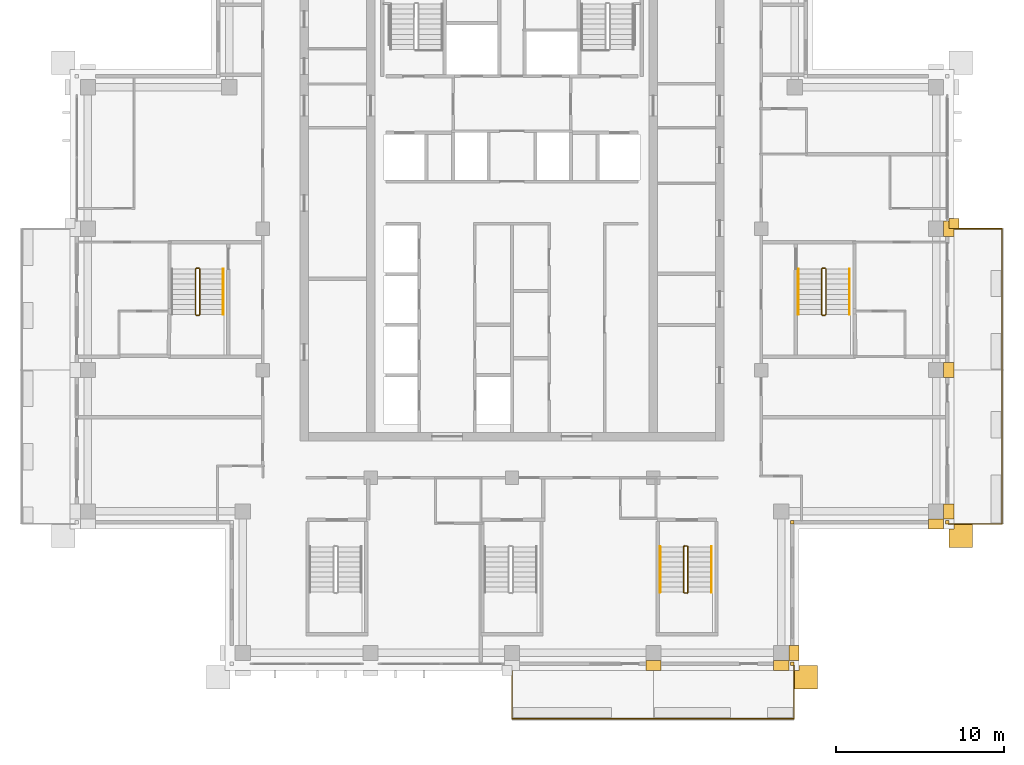
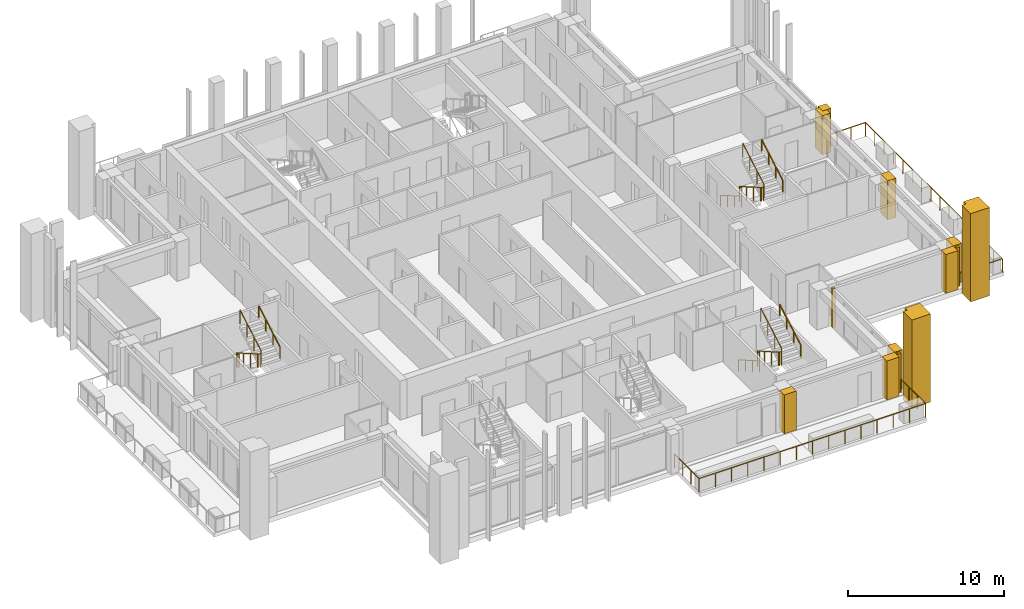
# One storey, part 16 of 18: 13 coverings, 12 railings.
"""IFC4 building model written with IfcOpenShell, lengths in metres."""

from ifc_helpers import new_model, si_unit, direction, frame, origin, origin_2d, place, context, subcontext, project, spatial, polyline, rectangle, outline, extrude, material, type_object, element, save


model = new_model("IFC4")

# Units and contexts
model_context = context("Model", 3, precision=1e-05, world=origin(), true_north=direction((0.0, 1.0)))
body_context = subcontext(model_context, "Body", "Model", "MODEL_VIEW")
ifc_project = project(units=[si_unit("LENGTHUNIT", "METRE"), si_unit("AREAUNIT", "SQUARE_METRE"), si_unit("VOLUMEUNIT", "CUBIC_METRE"), si_unit("PLANEANGLEUNIT", "RADIAN"), si_unit("MASSUNIT", "GRAM", prefix="KILO")], contexts=[model_context])

# Site, building, storey
site_placement = place(None, origin())
site = spatial("IfcSite", under=ifc_project, at=site_placement, CompositionType="ELEMENT")
building_placement = place(site_placement, origin())
building = spatial("IfcBuilding", under=site, at=building_placement, Name="Vermilion Ogive Tower", CompositionType="ELEMENT")
storey_placement = place(building_placement, frame((0.0, 0.0, 240.699951171875)))
storey = spatial("IfcBuildingStorey", under=building, at=storey_placement, Name="L63", CompositionType="ELEMENT", Elevation=240.699951171875)

# Railings
ifc_material_1 = material(Name="Stainless steel and glass", Category="steel")
railing_type_1 = type_object("IfcRailingType", Name="Balcony guard", PredefinedType="GUARDRAIL", material=ifc_material_1)
railing_1_placement = place(storey_placement, frame((0.0, -21.75, -0.0400390625)))
element("IfcRailing", 1, at=railing_1_placement, inside=storey, type_object=railing_type_1, Name="Guard S03", PredefinedType="GUARDRAIL", context=body_context, shape_type="SweptSolid", body=[
    extrude(rectangle(XDim=0.048095703125, YDim=0.048095703125, at=origin_2d()), frame((0.0, 0.0, 1.076171875), z_axis=(0.0, -1.0, 0.0), x_axis=(1.0, 0.0, 0.0)), (0.0, 0.0, 1.0), 3.159912109375),
    extrude(rectangle(XDim=0.048095703125, YDim=0.048095703125, at=origin_2d()), frame((0.0, -3.159912109375, 1.076171875), z_axis=(1.0, 0.0, 0.0), x_axis=(0.0, 1.0, 0.0)), (0.0, 0.0, 1.0), 8.39990234375),
    extrude(rectangle(XDim=0.0419921875, YDim=0.0419921875, at=origin_2d()), origin(), (0.0, 0.0, 1.0), 1.052001953125),
    extrude(rectangle(XDim=0.0419921875, YDim=0.0419921875, at=origin_2d()), frame((0.0, -1.05322265625, 0.0)), (0.0, 0.0, 1.0), 1.052001953125),
    extrude(rectangle(XDim=0.0419921875, YDim=0.0419921875, at=origin_2d()), frame((0.0, -2.106689453125, 0.0)), (0.0, 0.0, 1.0), 1.052001953125),
    extrude(rectangle(XDim=0.0419921875, YDim=0.0419921875, at=origin_2d()), frame((0.0, -3.159912109375, 0.0)), (0.0, 0.0, 1.0), 1.052001953125),
    extrude(rectangle(XDim=0.0419921875, YDim=0.0419921875, at=origin_2d()), frame((1.199951171875, -3.159912109375, 0.0)), (0.0, 0.0, 1.0), 1.052001953125),
    extrude(rectangle(XDim=0.0419921875, YDim=0.0419921875, at=origin_2d()), frame((2.39990234375, -3.159912109375, 0.0)), (0.0, 0.0, 1.0), 1.052001953125),
    extrude(rectangle(XDim=0.0419921875, YDim=0.0419921875, at=origin_2d()), frame((3.599853515625, -3.159912109375, 0.0)), (0.0, 0.0, 1.0), 1.052001953125),
    extrude(rectangle(XDim=0.0419921875, YDim=0.0419921875, at=origin_2d()), frame((4.800048828125, -3.159912109375, 0.0)), (0.0, 0.0, 1.0), 1.052001953125),
    extrude(rectangle(XDim=0.0419921875, YDim=0.0419921875, at=origin_2d()), frame((6.0, -3.159912109375, 0.0)), (0.0, 0.0, 1.0), 1.052001953125),
    extrude(rectangle(XDim=0.0419921875, YDim=0.0419921875, at=origin_2d()), frame((7.199951171875, -3.159912109375, 0.0)), (0.0, 0.0, 1.0), 1.052001953125),
    extrude(rectangle(XDim=0.0419921875, YDim=0.0419921875, at=origin_2d()), frame((8.39990234375, -3.159912109375, 0.0)), (0.0, 0.0, 1.0), 1.052001953125),
])
railing_2_placement = place(storey_placement, frame((8.39990234375, -24.909912109375, -0.0400390625)))
element("IfcRailing", 2, at=railing_2_placement, inside=storey, type_object=railing_type_1, Name="Guard S04", PredefinedType="GUARDRAIL", context=body_context, shape_type="SweptSolid", body=[
    extrude(rectangle(XDim=0.048095703125, YDim=0.048095703125, at=origin_2d()), frame((0.0, 0.0, 1.076171875), z_axis=(1.0, 0.0, 0.0), x_axis=(0.0, 1.0, 0.0)), (0.0, 0.0, 1.0), 8.35009765625),
    extrude(rectangle(XDim=0.048095703125, YDim=0.048095703125, at=origin_2d()), frame((8.35009765625, 0.0, 1.076171875), z_axis=(0.0, 1.0, 0.0), x_axis=(-1.0, 0.0, 0.0)), (0.0, 0.0, 1.0), 3.159912109375),
    extrude(rectangle(XDim=0.0419921875, YDim=0.0419921875, at=origin_2d()), origin(), (0.0, 0.0, 1.0), 1.052001953125),
    extrude(rectangle(XDim=0.0419921875, YDim=0.0419921875, at=origin_2d()), frame((1.19287109375, 0.0, 0.0)), (0.0, 0.0, 1.0), 1.052001953125),
    extrude(rectangle(XDim=0.0419921875, YDim=0.0419921875, at=origin_2d()), frame((2.3857421875, 0.0, 0.0)), (0.0, 0.0, 1.0), 1.052001953125),
    extrude(rectangle(XDim=0.0419921875, YDim=0.0419921875, at=origin_2d()), frame((3.57861328125, 0.0, 0.0)), (0.0, 0.0, 1.0), 1.052001953125),
    extrude(rectangle(XDim=0.0419921875, YDim=0.0419921875, at=origin_2d()), frame((4.771484375, 0.0, 0.0)), (0.0, 0.0, 1.0), 1.052001953125),
    extrude(rectangle(XDim=0.0419921875, YDim=0.0419921875, at=origin_2d()), frame((5.96435546875, 0.0, 0.0)), (0.0, 0.0, 1.0), 1.052001953125),
    extrude(rectangle(XDim=0.0419921875, YDim=0.0419921875, at=origin_2d()), frame((7.1572265625, 0.0, 0.0)), (0.0, 0.0, 1.0), 1.052001953125),
    extrude(rectangle(XDim=0.0419921875, YDim=0.0419921875, at=origin_2d()), frame((8.35009765625, 0.0, 0.0)), (0.0, 0.0, 1.0), 1.052001953125),
    extrude(rectangle(XDim=0.0419921875, YDim=0.0419921875, at=origin_2d()), frame((8.35009765625, 1.05322265625, 0.0)), (0.0, 0.0, 1.0), 1.052001953125),
    extrude(rectangle(XDim=0.0419921875, YDim=0.0419921875, at=origin_2d()), frame((8.35009765625, 2.106689453125, 0.0)), (0.0, 0.0, 1.0), 1.052001953125),
    extrude(rectangle(XDim=0.0419921875, YDim=0.0419921875, at=origin_2d()), frame((8.35009765625, 3.159912109375, 0.0)), (0.0, 0.0, 1.0), 1.052001953125),
])
railing_3_placement = place(storey_placement, frame((25.949951171875, -13.35009765625, -0.0400390625)))
element("IfcRailing", 3, at=railing_3_placement, inside=storey, type_object=railing_type_1, Name="Guard E01", PredefinedType="GUARDRAIL", context=body_context, shape_type="SweptSolid", body=[
    extrude(rectangle(XDim=0.048095703125, YDim=0.048095703125, at=origin_2d()), frame((0.0, 0.0, 1.076171875), z_axis=(1.0, 0.0, 0.0), x_axis=(0.0, 1.0, 0.0)), (0.0, 0.0, 1.0), 3.16015625),
    extrude(rectangle(XDim=0.048095703125, YDim=0.048095703125, at=origin_2d()), frame((3.16015625, 0.0, 1.076171875), z_axis=(0.0, 1.0, 0.0), x_axis=(-1.0, 0.0, 0.0)), (0.0, 0.0, 1.0), 9.150146484375),
    extrude(rectangle(XDim=0.0419921875, YDim=0.0419921875, at=origin_2d()), origin(), (0.0, 0.0, 1.0), 1.052001953125),
    extrude(rectangle(XDim=0.0419921875, YDim=0.0419921875, at=origin_2d()), frame((1.053466796875, 0.0, 0.0)), (0.0, 0.0, 1.0), 1.052001953125),
    extrude(rectangle(XDim=0.0419921875, YDim=0.0419921875, at=origin_2d()), frame((2.106689453125, 0.0, 0.0)), (0.0, 0.0, 1.0), 1.052001953125),
    extrude(rectangle(XDim=0.0419921875, YDim=0.0419921875, at=origin_2d()), frame((3.16015625, 0.0, 0.0)), (0.0, 0.0, 1.0), 1.052001953125),
    extrude(rectangle(XDim=0.0419921875, YDim=0.0419921875, at=origin_2d()), frame((3.16015625, 1.143798828125, 0.0)), (0.0, 0.0, 1.0), 1.052001953125),
    extrude(rectangle(XDim=0.0419921875, YDim=0.0419921875, at=origin_2d()), frame((3.16015625, 2.28759765625, 0.0)), (0.0, 0.0, 1.0), 1.052001953125),
    extrude(rectangle(XDim=0.0419921875, YDim=0.0419921875, at=origin_2d()), frame((3.16015625, 3.431396484375, 0.0)), (0.0, 0.0, 1.0), 1.052001953125),
    extrude(rectangle(XDim=0.0419921875, YDim=0.0419921875, at=origin_2d()), frame((3.16015625, 4.5751953125, 0.0)), (0.0, 0.0, 1.0), 1.052001953125),
    extrude(rectangle(XDim=0.0419921875, YDim=0.0419921875, at=origin_2d()), frame((3.16015625, 5.71875, 0.0)), (0.0, 0.0, 1.0), 1.052001953125),
    extrude(rectangle(XDim=0.0419921875, YDim=0.0419921875, at=origin_2d()), frame((3.16015625, 6.862548828125, 0.0)), (0.0, 0.0, 1.0), 1.052001953125),
    extrude(rectangle(XDim=0.0419921875, YDim=0.0419921875, at=origin_2d()), frame((3.16015625, 8.00634765625, 0.0)), (0.0, 0.0, 1.0), 1.052001953125),
    extrude(rectangle(XDim=0.0419921875, YDim=0.0419921875, at=origin_2d()), frame((3.16015625, 9.150146484375, 0.0)), (0.0, 0.0, 1.0), 1.052001953125),
])
railing_4_placement = place(storey_placement, frame((29.110107421875, -4.199951171875, -0.0400390625)))
element("IfcRailing", 4, at=railing_4_placement, inside=storey, type_object=railing_type_1, Name="Guard E02", PredefinedType="GUARDRAIL", context=body_context, shape_type="SweptSolid", body=[
    extrude(rectangle(XDim=0.048095703125, YDim=0.048095703125, at=origin_2d()), frame((0.0, 0.0, 1.076171875), z_axis=(0.0, 1.0, 0.0), x_axis=(-1.0, 0.0, 0.0)), (0.0, 0.0, 1.0), 8.39990234375),
    extrude(rectangle(XDim=0.048095703125, YDim=0.048095703125, at=origin_2d()), frame((0.0, 8.39990234375, 1.076171875), z_axis=(-1.0, 0.0, 0.0), x_axis=(0.0, -1.0, 0.0)), (0.0, 0.0, 1.0), 3.16015625),
    extrude(rectangle(XDim=0.0419921875, YDim=0.0419921875, at=origin_2d()), origin(), (0.0, 0.0, 1.0), 1.052001953125),
    extrude(rectangle(XDim=0.0419921875, YDim=0.0419921875, at=origin_2d()), frame((0.0, 1.199951171875, 0.0)), (0.0, 0.0, 1.0), 1.052001953125),
    extrude(rectangle(XDim=0.0419921875, YDim=0.0419921875, at=origin_2d()), frame((0.0, 2.39990234375, 0.0)), (0.0, 0.0, 1.0), 1.052001953125),
    extrude(rectangle(XDim=0.0419921875, YDim=0.0419921875, at=origin_2d()), frame((0.0, 3.599853515625, 0.0)), (0.0, 0.0, 1.0), 1.052001953125),
    extrude(rectangle(XDim=0.0419921875, YDim=0.0419921875, at=origin_2d()), frame((0.0, 4.800048828125, 0.0)), (0.0, 0.0, 1.0), 1.052001953125),
    extrude(rectangle(XDim=0.0419921875, YDim=0.0419921875, at=origin_2d()), frame((0.0, 6.0, 0.0)), (0.0, 0.0, 1.0), 1.052001953125),
    extrude(rectangle(XDim=0.0419921875, YDim=0.0419921875, at=origin_2d()), frame((0.0, 7.199951171875, 0.0)), (0.0, 0.0, 1.0), 1.052001953125),
    extrude(rectangle(XDim=0.0419921875, YDim=0.0419921875, at=origin_2d()), frame((0.0, 8.39990234375, 0.0)), (0.0, 0.0, 1.0), 1.052001953125),
    extrude(rectangle(XDim=0.0419921875, YDim=0.0419921875, at=origin_2d()), frame((-1.053466796875, 8.39990234375, 0.0)), (0.0, 0.0, 1.0), 1.052001953125),
    extrude(rectangle(XDim=0.0419921875, YDim=0.0419921875, at=origin_2d()), frame((-2.106689453125, 8.39990234375, 0.0)), (0.0, 0.0, 1.0), 1.052001953125),
    extrude(rectangle(XDim=0.0419921875, YDim=0.0419921875, at=origin_2d()), frame((-3.16015625, 8.39990234375, 0.0)), (0.0, 0.0, 1.0), 1.052001953125),
])
ifc_material_2 = material(Name="Steel S355 painted", Category="steel")
railing_type_2 = type_object("IfcRailingType", Name="Stair guard 1100", PredefinedType="GUARDRAIL", material=ifc_material_2)
railing_5_placement = place(storey_placement, frame((10.39990234375, -14.64990234375, 0.0)))
element("IfcRailing", 5, at=railing_5_placement, inside=storey, type_object=railing_type_2, Name="L63 ST5 stair guard 4", PredefinedType="GUARDRAIL", context=body_context, shape_type="SweptSolid", body=[
    extrude(rectangle(XDim=0.048095703125, YDim=0.048095703125, at=origin_2d()), frame((0.0, 0.0, 1.076171875), z_axis=(-1.0, 0.0, 0.0), x_axis=(0.0, -1.0, 0.0)), (0.0, 0.0, 1.0), 0.14990234375),
    extrude(rectangle(XDim=0.048095703125, YDim=0.048095703125, at=origin_2d()), frame((-0.14990234375, 0.0, 1.076171875), z_axis=(-0.268277960024, -0.268277960024, 0.925231793839), x_axis=(0.707106781187, -0.707106781187, 0.0)), (0.0, 0.0, 1.0), 0.1865234375),
    extrude(rectangle(XDim=0.048095703125, YDim=0.048095703125, at=origin_2d()), frame((-0.199951171875, -0.050048828125, 1.24853515625), z_axis=(0.0, -0.866903762492, 0.498475542607), x_axis=(1.0, 0.0, 0.0)), (0.0, 0.0, 1.0), 3.114501953125),
    extrude(rectangle(XDim=0.048095703125, YDim=0.048095703125, at=origin_2d()), frame((-0.199951171875, -2.75, 2.80126953125), z_axis=(0.707106781187, -0.707106781187, 0.0), x_axis=(0.707106781187, 0.707106781187, 0.0)), (0.0, 0.0, 1.0), 0.07080078125),
    extrude(rectangle(XDim=0.048095703125, YDim=0.048095703125, at=origin_2d()), frame((-0.14990234375, -2.800048828125, 2.80126953125), z_axis=(1.0, 0.0, 0.0), x_axis=(0.0, 1.0, 0.0)), (0.0, 0.0, 1.0), 0.14990234375),
    extrude(rectangle(XDim=0.048095703125, YDim=0.048095703125, at=origin_2d()), frame((0.0, -2.800048828125, 2.80126953125), z_axis=(0.268603158521, 0.268603158521, 0.925043072762), x_axis=(-0.707106781187, 0.707106781187, 0.0)), (0.0, 0.0, 1.0), 0.186279296875),
    extrude(rectangle(XDim=0.048095703125, YDim=0.048095703125, at=origin_2d()), frame((0.050048828125, -2.75, 2.9736328125), z_axis=(0.0, 0.866903762492, 0.498475542607), x_axis=(-1.0, 0.0, 0.0)), (0.0, 0.0, 1.0), 3.114501953125),
    extrude(rectangle(XDim=0.0419921875, YDim=0.0419921875, at=origin_2d()), origin(), (0.0, 0.0, 1.0), 1.052001953125),
    extrude(rectangle(XDim=0.0419921875, YDim=0.0419921875, at=origin_2d()), frame((-0.14990234375, 0.0, 0.0)), (0.0, 0.0, 1.0), 1.052001953125),
    extrude(rectangle(XDim=0.0419921875, YDim=0.0419921875, at=origin_2d()), frame((-0.199951171875, -0.050048828125, 0.172607421875)), (0.0, 0.0, 1.0), 1.052001953125),
    extrude(rectangle(XDim=0.0419921875, YDim=0.0419921875, at=origin_2d()), frame((-0.199951171875, -0.949951171875, 0.690185546875)), (0.0, 0.0, 1.0), 1.052001953125),
    extrude(rectangle(XDim=0.0419921875, YDim=0.0419921875, at=origin_2d()), frame((-0.199951171875, -1.85009765625, 1.20751953125)), (0.0, 0.0, 1.0), 1.052001953125),
    extrude(rectangle(XDim=0.0419921875, YDim=0.0419921875, at=origin_2d()), frame((-0.199951171875, -2.75, 1.72509765625)), (0.0, 0.0, 1.0), 1.052001953125),
    extrude(rectangle(XDim=0.0419921875, YDim=0.0419921875, at=origin_2d()), frame((-0.14990234375, -2.800048828125, 1.72509765625)), (0.0, 0.0, 1.0), 1.052001953125),
    extrude(rectangle(XDim=0.0419921875, YDim=0.0419921875, at=origin_2d()), frame((0.0, -2.800048828125, 1.72509765625)), (0.0, 0.0, 1.0), 1.052001953125),
    extrude(rectangle(XDim=0.0419921875, YDim=0.0419921875, at=origin_2d()), frame((0.050048828125, -2.75, 1.8974609375)), (0.0, 0.0, 1.0), 1.052001953125),
    extrude(rectangle(XDim=0.0419921875, YDim=0.0419921875, at=origin_2d()), frame((0.050048828125, -1.85009765625, 2.4150390625)), (0.0, 0.0, 1.0), 1.052001953125),
    extrude(rectangle(XDim=0.0419921875, YDim=0.0419921875, at=origin_2d()), frame((0.050048828125, -0.949951171875, 2.932373046875)), (0.0, 0.0, 1.0), 1.052001953125),
    extrude(rectangle(XDim=0.0419921875, YDim=0.0419921875, at=origin_2d()), frame((0.050048828125, -0.050048828125, 3.449951171875)), (0.0, 0.0, 1.0), 1.052001953125),
])
railing_6_placement = place(storey_placement, frame((18.60009765625, 1.85009765625, 0.0)))
element("IfcRailing", 6, at=railing_6_placement, inside=storey, type_object=railing_type_2, Name="L63 ST8 stair guard 4", PredefinedType="GUARDRAIL", context=body_context, shape_type="SweptSolid", body=[
    extrude(rectangle(XDim=0.048095703125, YDim=0.048095703125, at=origin_2d()), frame((0.0, 0.0, 1.076171875), z_axis=(-1.0, 0.0, 0.0), x_axis=(0.0, -1.0, 0.0)), (0.0, 0.0, 1.0), 0.150146484375),
    extrude(rectangle(XDim=0.048095703125, YDim=0.048095703125, at=origin_2d()), frame((-0.150146484375, 0.0, 1.076171875), z_axis=(-0.268277960024, -0.268277960024, 0.925231793839), x_axis=(0.707106781187, -0.707106781187, 0.0)), (0.0, 0.0, 1.0), 0.1865234375),
    extrude(rectangle(XDim=0.048095703125, YDim=0.048095703125, at=origin_2d()), frame((-0.2001953125, -0.050048828125, 1.24853515625), z_axis=(0.0, -0.866903762492, 0.498475542607), x_axis=(1.0, 0.0, 0.0)), (0.0, 0.0, 1.0), 3.114501953125),
    extrude(rectangle(XDim=0.048095703125, YDim=0.048095703125, at=origin_2d()), frame((-0.2001953125, -2.75, 2.80126953125), z_axis=(0.707106781187, -0.707106781187, 0.0), x_axis=(0.707106781187, 0.707106781187, 0.0)), (0.0, 0.0, 1.0), 0.07080078125),
    extrude(rectangle(XDim=0.048095703125, YDim=0.048095703125, at=origin_2d()), frame((-0.150146484375, -2.800048828125, 2.80126953125), z_axis=(1.0, 0.0, 0.0), x_axis=(0.0, 1.0, 0.0)), (0.0, 0.0, 1.0), 0.150146484375),
    extrude(rectangle(XDim=0.048095703125, YDim=0.048095703125, at=origin_2d()), frame((0.0, -2.800048828125, 2.80126953125), z_axis=(0.267386790225, 0.268697509785, 0.925368009307), x_axis=(-0.708833529934, 0.705375805398, 0.0)), (0.0, 0.0, 1.0), 0.186279296875),
    extrude(rectangle(XDim=0.048095703125, YDim=0.048095703125, at=origin_2d()), frame((0.0498046875, -2.75, 2.9736328125), z_axis=(0.0, 0.866903762492, 0.498475542607), x_axis=(-1.0, 0.0, 0.0)), (0.0, 0.0, 1.0), 3.114501953125),
    extrude(rectangle(XDim=0.0419921875, YDim=0.0419921875, at=origin_2d()), origin(), (0.0, 0.0, 1.0), 1.052001953125),
    extrude(rectangle(XDim=0.0419921875, YDim=0.0419921875, at=origin_2d()), frame((-0.150146484375, 0.0, 0.0)), (0.0, 0.0, 1.0), 1.052001953125),
    extrude(rectangle(XDim=0.0419921875, YDim=0.0419921875, at=origin_2d()), frame((-0.2001953125, -0.050048828125, 0.172607421875)), (0.0, 0.0, 1.0), 1.052001953125),
    extrude(rectangle(XDim=0.0419921875, YDim=0.0419921875, at=origin_2d()), frame((-0.2001953125, -0.949951171875, 0.690185546875)), (0.0, 0.0, 1.0), 1.052001953125),
    extrude(rectangle(XDim=0.0419921875, YDim=0.0419921875, at=origin_2d()), frame((-0.2001953125, -1.85009765625, 1.20751953125)), (0.0, 0.0, 1.0), 1.052001953125),
    extrude(rectangle(XDim=0.0419921875, YDim=0.0419921875, at=origin_2d()), frame((-0.2001953125, -2.75, 1.72509765625)), (0.0, 0.0, 1.0), 1.052001953125),
    extrude(rectangle(XDim=0.0419921875, YDim=0.0419921875, at=origin_2d()), frame((-0.150146484375, -2.800048828125, 1.72509765625)), (0.0, 0.0, 1.0), 1.052001953125),
    extrude(rectangle(XDim=0.0419921875, YDim=0.0419921875, at=origin_2d()), frame((0.0, -2.800048828125, 1.72509765625)), (0.0, 0.0, 1.0), 1.052001953125),
    extrude(rectangle(XDim=0.0419921875, YDim=0.0419921875, at=origin_2d()), frame((0.0498046875, -2.75, 1.8974609375)), (0.0, 0.0, 1.0), 1.052001953125),
    extrude(rectangle(XDim=0.0419921875, YDim=0.0419921875, at=origin_2d()), frame((0.0498046875, -1.85009765625, 2.4150390625)), (0.0, 0.0, 1.0), 1.052001953125),
    extrude(rectangle(XDim=0.0419921875, YDim=0.0419921875, at=origin_2d()), frame((0.0498046875, -0.949951171875, 2.932373046875)), (0.0, 0.0, 1.0), 1.052001953125),
    extrude(rectangle(XDim=0.0419921875, YDim=0.0419921875, at=origin_2d()), frame((0.0498046875, -0.050048828125, 3.449951171875)), (0.0, 0.0, 1.0), 1.052001953125),
])
railing_7_placement = place(storey_placement, frame((-18.60009765625, 1.85009765625, 0.0)))
element("IfcRailing", 7, at=railing_7_placement, inside=storey, type_object=railing_type_2, Name="L63 ST9 stair guard 4", PredefinedType="GUARDRAIL", context=body_context, shape_type="SweptSolid", body=[
    extrude(rectangle(XDim=0.048095703125, YDim=0.048095703125, at=origin_2d()), frame((0.0, 0.0, 1.076171875), z_axis=(-1.0, 0.0, 0.0), x_axis=(0.0, -1.0, 0.0)), (0.0, 0.0, 1.0), 0.14990234375),
    extrude(rectangle(XDim=0.048095703125, YDim=0.048095703125, at=origin_2d()), frame((-0.14990234375, 0.0, 1.076171875), z_axis=(-0.268277960024, -0.268277960024, 0.925231793839), x_axis=(0.707106781187, -0.707106781187, 0.0)), (0.0, 0.0, 1.0), 0.1865234375),
    extrude(rectangle(XDim=0.048095703125, YDim=0.048095703125, at=origin_2d()), frame((-0.199951171875, -0.050048828125, 1.24853515625), z_axis=(0.0, -0.866903762492, 0.498475542607), x_axis=(1.0, 0.0, 0.0)), (0.0, 0.0, 1.0), 3.114501953125),
    extrude(rectangle(XDim=0.048095703125, YDim=0.048095703125, at=origin_2d()), frame((-0.199951171875, -2.75, 2.80126953125), z_axis=(0.707106781187, -0.707106781187, 0.0), x_axis=(0.707106781187, 0.707106781187, 0.0)), (0.0, 0.0, 1.0), 0.07080078125),
    extrude(rectangle(XDim=0.048095703125, YDim=0.048095703125, at=origin_2d()), frame((-0.14990234375, -2.800048828125, 2.80126953125), z_axis=(1.0, 0.0, 0.0), x_axis=(0.0, 1.0, 0.0)), (0.0, 0.0, 1.0), 0.14990234375),
    extrude(rectangle(XDim=0.048095703125, YDim=0.048095703125, at=origin_2d()), frame((0.0, -2.800048828125, 2.80126953125), z_axis=(0.268603158521, 0.268603158521, 0.925043072762), x_axis=(-0.707106781187, 0.707106781187, 0.0)), (0.0, 0.0, 1.0), 0.186279296875),
    extrude(rectangle(XDim=0.048095703125, YDim=0.048095703125, at=origin_2d()), frame((0.050048828125, -2.75, 2.9736328125), z_axis=(0.0, 0.866903762492, 0.498475542607), x_axis=(-1.0, 0.0, 0.0)), (0.0, 0.0, 1.0), 3.114501953125),
    extrude(rectangle(XDim=0.0419921875, YDim=0.0419921875, at=origin_2d()), origin(), (0.0, 0.0, 1.0), 1.052001953125),
    extrude(rectangle(XDim=0.0419921875, YDim=0.0419921875, at=origin_2d()), frame((-0.14990234375, 0.0, 0.0)), (0.0, 0.0, 1.0), 1.052001953125),
    extrude(rectangle(XDim=0.0419921875, YDim=0.0419921875, at=origin_2d()), frame((-0.199951171875, -0.050048828125, 0.172607421875)), (0.0, 0.0, 1.0), 1.052001953125),
    extrude(rectangle(XDim=0.0419921875, YDim=0.0419921875, at=origin_2d()), frame((-0.199951171875, -0.949951171875, 0.690185546875)), (0.0, 0.0, 1.0), 1.052001953125),
    extrude(rectangle(XDim=0.0419921875, YDim=0.0419921875, at=origin_2d()), frame((-0.199951171875, -1.85009765625, 1.20751953125)), (0.0, 0.0, 1.0), 1.052001953125),
    extrude(rectangle(XDim=0.0419921875, YDim=0.0419921875, at=origin_2d()), frame((-0.199951171875, -2.75, 1.72509765625)), (0.0, 0.0, 1.0), 1.052001953125),
    extrude(rectangle(XDim=0.0419921875, YDim=0.0419921875, at=origin_2d()), frame((-0.14990234375, -2.800048828125, 1.72509765625)), (0.0, 0.0, 1.0), 1.052001953125),
    extrude(rectangle(XDim=0.0419921875, YDim=0.0419921875, at=origin_2d()), frame((0.0, -2.800048828125, 1.72509765625)), (0.0, 0.0, 1.0), 1.052001953125),
    extrude(rectangle(XDim=0.0419921875, YDim=0.0419921875, at=origin_2d()), frame((0.050048828125, -2.75, 1.8974609375)), (0.0, 0.0, 1.0), 1.052001953125),
    extrude(rectangle(XDim=0.0419921875, YDim=0.0419921875, at=origin_2d()), frame((0.050048828125, -1.85009765625, 2.4150390625)), (0.0, 0.0, 1.0), 1.052001953125),
    extrude(rectangle(XDim=0.0419921875, YDim=0.0419921875, at=origin_2d()), frame((0.050048828125, -0.949951171875, 2.932373046875)), (0.0, 0.0, 1.0), 1.052001953125),
    extrude(rectangle(XDim=0.0419921875, YDim=0.0419921875, at=origin_2d()), frame((0.050048828125, -0.050048828125, 3.449951171875)), (0.0, 0.0, 1.0), 1.052001953125),
])
ifc_material_3 = material(Name="Stainless steel", Category="steel")
railing_type_3 = type_object("IfcRailingType", Name="Stair handrail 900", PredefinedType="HANDRAIL", material=ifc_material_3)
railing_8_placement = place(storey_placement, frame((8.800048828125, -14.699951171875, 0.172607421875)))
element("IfcRailing", 8, at=railing_8_placement, inside=storey, type_object=railing_type_3, Name="L63 ST5 stair handrail 1", PredefinedType="HANDRAIL", context=body_context, shape_type="SweptSolid", body=[
    extrude(rectangle(XDim=0.048095703125, YDim=0.048095703125, at=origin_2d()), frame((0.0, 0.0, 0.8759765625), z_axis=(0.0, -0.866903762492, 0.498475542607), x_axis=(1.0, 0.0, 0.0)), (0.0, 0.0, 1.0), 3.114501953125),
    extrude(rectangle(XDim=0.0419921875, YDim=0.0419921875, at=origin_2d()), origin(), (0.0, 0.0, 1.0), 0.851806640625),
    extrude(rectangle(XDim=0.0419921875, YDim=0.0419921875, at=origin_2d()), frame((0.0, -0.89990234375, 0.517578125)), (0.0, 0.0, 1.0), 0.851806640625),
    extrude(rectangle(XDim=0.0419921875, YDim=0.0419921875, at=origin_2d()), frame((0.0, -1.800048828125, 1.034912109375)), (0.0, 0.0, 1.0), 0.851806640625),
    extrude(rectangle(XDim=0.0419921875, YDim=0.0419921875, at=origin_2d()), frame((0.0, -2.699951171875, 1.552490234375)), (0.0, 0.0, 1.0), 0.851806640625),
])
railing_9_placement = place(storey_placement, frame((11.85009765625, -17.39990234375, 1.8974609375)))
element("IfcRailing", 9, at=railing_9_placement, inside=storey, type_object=railing_type_3, Name="L63 ST5 stair handrail 2", PredefinedType="HANDRAIL", context=body_context, shape_type="SweptSolid", body=[
    extrude(rectangle(XDim=0.048095703125, YDim=0.048095703125, at=origin_2d()), frame((0.0, 0.0, 0.8759765625), z_axis=(0.0, 0.866903762492, 0.498475542607), x_axis=(-1.0, 0.0, 0.0)), (0.0, 0.0, 1.0), 3.114501953125),
    extrude(rectangle(XDim=0.0419921875, YDim=0.0419921875, at=origin_2d()), origin(), (0.0, 0.0, 1.0), 0.851806640625),
    extrude(rectangle(XDim=0.0419921875, YDim=0.0419921875, at=origin_2d()), frame((0.0, 0.89990234375, 0.517578125)), (0.0, 0.0, 1.0), 0.851806640625),
    extrude(rectangle(XDim=0.0419921875, YDim=0.0419921875, at=origin_2d()), frame((0.0, 1.800048828125, 1.034912109375)), (0.0, 0.0, 1.0), 0.851806640625),
    extrude(rectangle(XDim=0.0419921875, YDim=0.0419921875, at=origin_2d()), frame((0.0, 2.699951171875, 1.552490234375)), (0.0, 0.0, 1.0), 0.851806640625),
])
railing_10_placement = place(storey_placement, frame((17.0, 1.800048828125, 0.172607421875)))
element("IfcRailing", 10, at=railing_10_placement, inside=storey, type_object=railing_type_3, Name="L63 ST8 stair handrail 1", PredefinedType="HANDRAIL", context=body_context, shape_type="SweptSolid", body=[
    extrude(rectangle(XDim=0.048095703125, YDim=0.048095703125, at=origin_2d()), frame((0.0, 0.0, 0.8759765625), z_axis=(0.0, -0.866903762492, 0.498475542607), x_axis=(1.0, 0.0, 0.0)), (0.0, 0.0, 1.0), 3.114501953125),
    extrude(rectangle(XDim=0.0419921875, YDim=0.0419921875, at=origin_2d()), origin(), (0.0, 0.0, 1.0), 0.851806640625),
    extrude(rectangle(XDim=0.0419921875, YDim=0.0419921875, at=origin_2d()), frame((0.0, -0.89990234375, 0.517578125)), (0.0, 0.0, 1.0), 0.851806640625),
    extrude(rectangle(XDim=0.0419921875, YDim=0.0419921875, at=origin_2d()), frame((0.0, -1.800048828125, 1.034912109375)), (0.0, 0.0, 1.0), 0.851806640625),
    extrude(rectangle(XDim=0.0419921875, YDim=0.0419921875, at=origin_2d()), frame((0.0, -2.699951171875, 1.552490234375)), (0.0, 0.0, 1.0), 0.851806640625),
])
for number, where, name in (
    (11, (20.050048828125, -0.89990234375, 1.8974609375), "L63 ST8 stair handrail 2"),
    (12, (-17.14990234375, -0.89990234375, 1.8974609375), "L63 ST9 stair handrail 2"),
):
    element("IfcRailing", number, at=place(storey_placement, frame(where)), inside=storey, type_object=railing_type_3, Name=name, PredefinedType="HANDRAIL", context=body_context, shape_type="SweptSolid", body=[
        extrude(rectangle(XDim=0.048095703125, YDim=0.048095703125, at=origin_2d()), frame((0.0, 0.0, 0.8759765625), z_axis=(0.0, 0.866903762492, 0.498475542607), x_axis=(-1.0, 0.0, 0.0)), (0.0, 0.0, 1.0), 3.114501953125),
        extrude(rectangle(XDim=0.0419921875, YDim=0.0419921875, at=origin_2d()), origin(), (0.0, 0.0, 1.0), 0.851806640625),
        extrude(rectangle(XDim=0.0419921875, YDim=0.0419921875, at=origin_2d()), frame((0.0, 0.89990234375, 0.517578125)), (0.0, 0.0, 1.0), 0.851806640625),
        extrude(rectangle(XDim=0.0419921875, YDim=0.0419921875, at=origin_2d()), frame((0.0, 1.800048828125, 1.034912109375)), (0.0, 0.0, 1.0), 0.851806640625),
        extrude(rectangle(XDim=0.0419921875, YDim=0.0419921875, at=origin_2d()), frame((0.0, 2.699951171875, 1.552490234375)), (0.0, 0.0, 1.0), 0.851806640625),
    ])

# Coverings
ifc_material_4 = material(Name="Stone cladding", Category="masonry")
covering_type_1 = type_object("IfcCoveringType", Name="Stone corner buttress", PredefinedType="CLADDING", material=ifc_material_4)
covering_1_placement = place(storey_placement, origin())
element("IfcCovering", 13, at=covering_1_placement, inside=storey, type_object=covering_type_1, Name="Stone crease pier EK", PredefinedType="CLADDING", context=body_context, shape_type="SweptSolid", body=[
    extrude(outline(polyline([(26.550048828125, 4.199951171875), (26.550048828125, 4.800048828125), (25.949951171875, 4.800048828125), (25.949951171875, 4.199951171875), (26.550048828125, 4.199951171875)])), origin(), (0.0, 0.0, 1.0), 3.050048828125),
])
covering_2_placement = place(storey_placement, frame((0.0, 0.0, -0.39990234375)))
element("IfcCovering", 14, at=covering_2_placement, inside=storey, type_object=covering_type_1, Name="Stone corner buttress X11", PredefinedType="CLADDING", context=body_context, shape_type="SweptSolid", body=[
    extrude(outline(polyline([(16.75, -23.14990234375), (16.75, -22.050048828125), (17.050048828125, -22.050048828125), (17.050048828125, -21.75), (18.14990234375, -21.75), (18.14990234375, -23.14990234375), (16.75, -23.14990234375)])), origin(), (0.0, 0.0, 1.0), 6.89990234375),
])
covering_3_placement = place(storey_placement, frame((0.0, 0.0, -0.39990234375)))
element("IfcCovering", 15, at=covering_3_placement, inside=storey, type_object=covering_type_1, Name="Stone corner buttress E1", PredefinedType="CLADDING", context=body_context, shape_type="SweptSolid", body=[
    extrude(outline(polyline([(26.25, -13.64990234375), (26.25, -13.35009765625), (27.35009765625, -13.35009765625), (27.35009765625, -14.75), (25.949951171875, -14.75), (25.949951171875, -13.64990234375), (26.25, -13.64990234375)])), origin(), (0.0, 0.0, 1.0), 6.89990234375),
])
ifc_material_5 = material(Name="Stone cladding", Category="masonry")
covering_type_2 = type_object("IfcCoveringType", Name="Stone pier", PredefinedType="CLADDING", material=ifc_material_5)
covering_4_placement = place(storey_placement, origin())
element("IfcCovering", 16, at=covering_4_placement, inside=storey, type_object=covering_type_2, Name="Stone corner pier SE1", PredefinedType="CLADDING", context=body_context, shape_type="SweptSolid", body=[
    extrude(outline(polyline([(16.550048828125, -21.550048828125), (16.75, -21.550048828125), (16.75, -21.75), (16.550048828125, -21.75), (16.550048828125, -21.550048828125)])), origin(), (0.0, 0.0, 1.0), 3.050048828125),
])
covering_5_placement = place(storey_placement, origin())
element("IfcCovering", 17, at=covering_5_placement, inside=storey, type_object=covering_type_2, Name="Stone corner pier X1E1", PredefinedType="CLADDING", context=body_context, shape_type="SweptSolid", body=[
    extrude(outline(polyline([(16.550048828125, -13.14990234375), (16.75, -13.14990234375), (16.75, -13.35009765625), (16.550048828125, -13.35009765625), (16.550048828125, -13.14990234375)])), origin(), (0.0, 0.0, 1.0), 3.050048828125),
])
covering_6_placement = place(storey_placement, origin())
element("IfcCovering", 18, at=covering_6_placement, inside=storey, type_object=covering_type_2, Name="Stone corner pier X2E1", PredefinedType="CLADDING", context=body_context, shape_type="SweptSolid", body=[
    extrude(outline(polyline([(25.75, -13.14990234375), (25.949951171875, -13.14990234375), (25.949951171875, -13.35009765625), (25.75, -13.35009765625), (25.75, -13.14990234375)])), origin(), (0.0, 0.0, 1.0), 3.050048828125),
])
covering_7_placement = place(storey_placement, origin())
element("IfcCovering", 19, at=covering_7_placement, inside=storey, type_object=covering_type_2, Name="Stone pier P+0084-210", PredefinedType="CLADDING", context=body_context, shape_type="SweptSolid", body=[
    extrude(outline(polyline([(8.85009765625, -21.449951171875), (8.85009765625, -22.050048828125), (7.949951171875, -22.050048828125), (7.949951171875, -21.449951171875), (7.949951171875, -21.449951171875), (8.85009765625, -21.449951171875)])), origin(), (0.0, 0.0, 1.0), 3.050048828125),
])
covering_8_placement = place(storey_placement, origin())
element("IfcCovering", 20, at=covering_8_placement, inside=storey, type_object=covering_type_2, Name="Stone pier P+0160-210S", PredefinedType="CLADDING", context=body_context, shape_type="SweptSolid", body=[
    extrude(outline(polyline([(16.449951171875, -21.449951171875), (16.449951171875, -21.449951171875), (16.449951171875, -22.050048828125), (15.550048828125, -22.050048828125), (15.550048828125, -21.449951171875), (15.550048828125, -21.449951171875), (16.449951171875, -21.449951171875)])), origin(), (0.0, 0.0, 1.0), 3.050048828125),
])
covering_9_placement = place(storey_placement, origin())
element("IfcCovering", 21, at=covering_9_placement, inside=storey, type_object=covering_type_2, Name="Stone pier P+0160-210X1", PredefinedType="CLADDING", context=body_context, shape_type="SweptSolid", body=[
    extrude(outline(polyline([(17.050048828125, -21.449951171875), (16.449951171875, -21.449951171875), (16.449951171875, -21.449951171875), (16.449951171875, -20.550048828125), (17.050048828125, -20.550048828125), (17.050048828125, -21.449951171875)])), origin(), (0.0, 0.0, 1.0), 3.050048828125),
])
covering_10_placement = place(storey_placement, origin())
element("IfcCovering", 22, at=covering_10_placement, inside=storey, type_object=covering_type_2, Name="Stone pier P+0252+042", PredefinedType="CLADDING", context=body_context, shape_type="SweptSolid", body=[
    extrude(outline(polyline([(25.949951171875, 4.64990234375), (25.949951171875, 4.199951171875), (26.25, 4.199951171875), (26.25, 3.75), (25.64990234375, 3.75), (25.64990234375, 4.64990234375), (25.949951171875, 4.64990234375)])), origin(), (0.0, 0.0, 1.0), 3.050048828125),
])
covering_11_placement = place(storey_placement, origin())
element("IfcCovering", 23, at=covering_11_placement, inside=storey, type_object=covering_type_2, Name="Stone pier P+0252-042", PredefinedType="CLADDING", context=body_context, shape_type="SweptSolid", body=[
    extrude(outline(polyline([(26.25, -3.75), (26.25, -4.64990234375), (25.64990234375, -4.64990234375), (25.64990234375, -3.75), (26.25, -3.75)])), origin(), (0.0, 0.0, 1.0), 3.050048828125),
])
covering_12_placement = place(storey_placement, origin())
element("IfcCovering", 24, at=covering_12_placement, inside=storey, type_object=covering_type_2, Name="Stone pier P+0252-126X2", PredefinedType="CLADDING", context=body_context, shape_type="SweptSolid", body=[
    extrude(outline(polyline([(25.64990234375, -13.64990234375), (24.75, -13.64990234375), (24.75, -13.050048828125), (25.64990234375, -13.050048828125), (25.64990234375, -13.64990234375)])), origin(), (0.0, 0.0, 1.0), 3.050048828125),
])
covering_13_placement = place(storey_placement, origin())
element("IfcCovering", 25, at=covering_13_placement, inside=storey, type_object=covering_type_2, Name="Stone pier P+0252-126E", PredefinedType="CLADDING", context=body_context, shape_type="SweptSolid", body=[
    extrude(outline(polyline([(26.25, -13.050048828125), (25.64990234375, -13.050048828125), (25.64990234375, -12.14990234375), (26.25, -12.14990234375), (26.25, -13.050048828125)])), origin(), (0.0, 0.0, 1.0), 3.050048828125),
])

save(model, "model.ifc")
